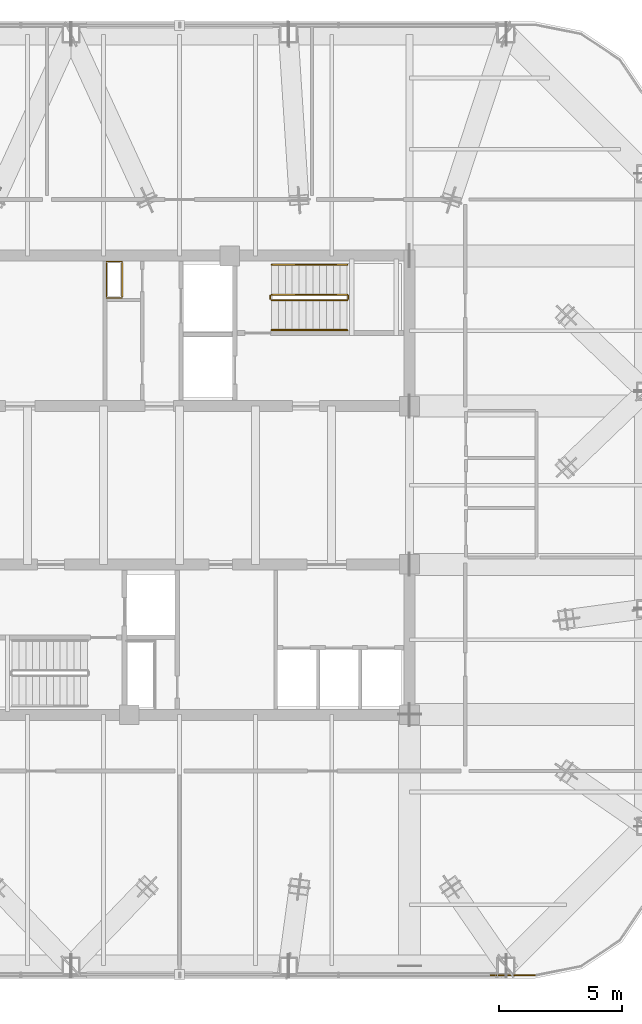
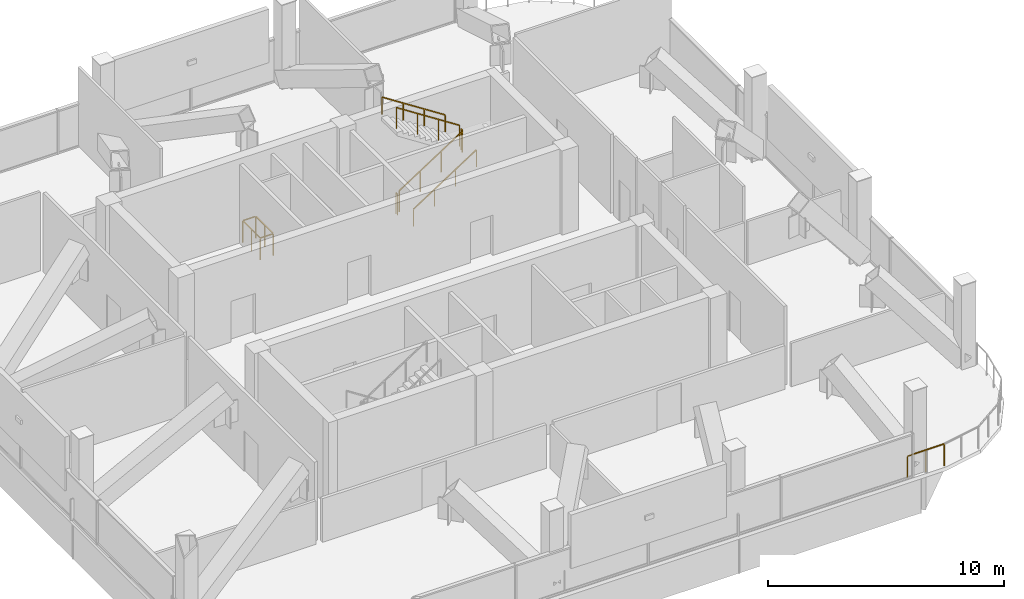
# One storey, part 18 of 19: 8 railings.
"""IFC4 building model written with IfcOpenShell, lengths in metres."""

from ifc_helpers import new_model, si_unit, direction, frame, origin, origin_2d, place, context, subcontext, project, spatial, rectangle, extrude, material, type_object, element, save


model = new_model("IFC4")

# Units and contexts
model_context = context("Model", 3, precision=1e-05, world=origin(), true_north=direction((0.0, 1.0)))
body_context = subcontext(model_context, "Body", "Model", "MODEL_VIEW")
ifc_project = project(units=[si_unit("LENGTHUNIT", "METRE"), si_unit("AREAUNIT", "SQUARE_METRE"), si_unit("VOLUMEUNIT", "CUBIC_METRE"), si_unit("PLANEANGLEUNIT", "RADIAN"), si_unit("MASSUNIT", "GRAM", prefix="KILO")], contexts=[model_context])

# Site, building, storey
site_placement = place(None, origin())
site = spatial("IfcSite", under=ifc_project, at=site_placement, CompositionType="ELEMENT")
building_placement = place(site_placement, origin())
building = spatial("IfcBuilding", under=site, at=building_placement, Name="Qhalaya Broadcast Tower", CompositionType="ELEMENT")
storey_placement = place(building_placement, frame((0.0, 0.0, 226.949951171875)))
storey = spatial("IfcBuildingStorey", under=building, at=storey_placement, Name="L67", CompositionType="ELEMENT", Elevation=226.949951171875)

# Railings
ifc_material = material(Name="Powder-Coated Galvanised Steel", Category="steel")
railing_type_1 = type_object("IfcRailingType", Name="Stair Wall Handrail 900", PredefinedType="HANDRAIL", material=ifc_material)
railing_1_placement = place(storey_placement, frame((3.75, 6.929931640625, 0.181396484375)))
element("IfcRailing", 1, at=railing_1_placement, inside=storey, type_object=railing_type_1, Name="L67 ST-1 Stair Handrail 1", PredefinedType="HANDRAIL", context=body_context, shape_type="SweptSolid", body=[
    extrude(rectangle(XDim=0.048095703125, YDim=0.048095703125, at=origin_2d()), frame((0.0, 0.0, 0.8759765625), z_axis=(0.839488025565, 0.0, 0.543378187759), x_axis=(0.0, 1.0, 0.0)), (0.0, 0.0, 1.0), 3.6689453125),
    extrude(rectangle(XDim=0.0419921875, YDim=0.0419921875, at=origin_2d()), origin(), (0.0, 0.0, 1.0), 0.849853515625),
    extrude(rectangle(XDim=0.0419921875, YDim=0.0419921875, at=origin_2d()), frame((1.026611328125, 0.0, 0.66455078125)), (0.0, 0.0, 1.0), 0.849853515625),
    extrude(rectangle(XDim=0.0419921875, YDim=0.0419921875, at=origin_2d()), frame((2.053466796875, 0.0, 1.3291015625)), (0.0, 0.0, 1.0), 0.849853515625),
    extrude(rectangle(XDim=0.0419921875, YDim=0.0419921875, at=origin_2d()), frame((3.080078125, 0.0, 1.99365234375)), (0.0, 0.0, 1.0), 0.849853515625),
])
railing_2_placement = place(storey_placement, frame((6.830078125, 9.590087890625, 2.356201171875)))
element("IfcRailing", 2, at=railing_2_placement, inside=storey, type_object=railing_type_1, Name="L67 ST-1 Stair Handrail 2", PredefinedType="HANDRAIL", context=body_context, shape_type="SweptSolid", body=[
    extrude(rectangle(XDim=0.048095703125, YDim=0.048095703125, at=origin_2d()), frame((0.0, 0.0, 0.8759765625), z_axis=(-0.8394576718, 0.0, 0.543425079708), x_axis=(0.0, -1.0, 0.0)), (0.0, 0.0, 1.0), 3.669189453125),
    extrude(rectangle(XDim=0.0419921875, YDim=0.0419921875, at=origin_2d()), origin(), (0.0, 0.0, 1.0), 0.849853515625),
    extrude(rectangle(XDim=0.0419921875, YDim=0.0419921875, at=origin_2d()), frame((-1.026611328125, 0.0, 0.66455078125)), (0.0, 0.0, 1.0), 0.849853515625),
    extrude(rectangle(XDim=0.0419921875, YDim=0.0419921875, at=origin_2d()), frame((-2.053466796875, 0.0, 1.329345703125)), (0.0, 0.0, 1.0), 0.849853515625),
    extrude(rectangle(XDim=0.0419921875, YDim=0.0419921875, at=origin_2d()), frame((-3.080078125, 0.0, 1.993896484375)), (0.0, 0.0, 1.0), 0.849853515625),
])
railing_type_2 = type_object("IfcRailingType", Name="Stair Well & Landing Guardrail 1100", PredefinedType="GUARDRAIL", material=ifc_material)
railing_3_placement = place(storey_placement, frame((-2.340087890625, 8.239990234375, 0.0)))
element("IfcRailing", 3, at=railing_3_placement, inside=storey, type_object=railing_type_2, Name="L67 Service Riser Opening Safety Guard NRSR", PredefinedType="GUARDRAIL", context=body_context, shape_type="SweptSolid", body=[
    extrude(rectangle(XDim=0.048095703125, YDim=0.048095703125, at=origin_2d()), frame((0.0, 0.02880859375, 1.1259765625), z_axis=(0.0, 1.0, 0.0), x_axis=(-1.0, 0.0, 0.0)), (0.0, 0.0, 1.0), 1.42236328125),
    extrude(rectangle(XDim=0.048095703125, YDim=0.048095703125, at=origin_2d()), frame((-0.02880859375, 1.47998046875, 1.1259765625), z_axis=(-1.0, 0.0, 0.0), x_axis=(0.0, -1.0, 0.0)), (0.0, 0.0, 1.0), 0.582275390625),
    extrude(rectangle(XDim=0.048095703125, YDim=0.048095703125, at=origin_2d()), frame((-0.639892578125, 1.451171875, 1.1259765625), z_axis=(0.0, -1.0, 0.0), x_axis=(1.0, 0.0, 0.0)), (0.0, 0.0, 1.0), 1.42236328125),
    extrude(rectangle(XDim=0.048095703125, YDim=0.048095703125, at=origin_2d()), frame((-0.611083984375, 0.0, 1.1259765625), z_axis=(1.0, 0.0, 0.0), x_axis=(0.0, 1.0, 0.0)), (0.0, 0.0, 1.0), 0.582275390625),
    extrude(rectangle(XDim=0.0419921875, YDim=0.0419921875, at=origin_2d()), origin(), (0.0, 0.0, 1.0), 1.099853515625),
    extrude(rectangle(XDim=0.0419921875, YDim=0.0419921875, at=origin_2d()), frame((0.0, 0.739990234375, 0.0)), (0.0, 0.0, 1.0), 1.099853515625),
    extrude(rectangle(XDim=0.0419921875, YDim=0.0419921875, at=origin_2d()), frame((0.0, 1.47998046875, 0.0)), (0.0, 0.0, 1.0), 1.099853515625),
    extrude(rectangle(XDim=0.0419921875, YDim=0.0419921875, at=origin_2d()), frame((-0.639892578125, 1.47998046875, 0.0)), (0.0, 0.0, 1.0), 1.099853515625),
    extrude(rectangle(XDim=0.0419921875, YDim=0.0419921875, at=origin_2d()), frame((-0.639892578125, 0.739990234375, 0.0)), (0.0, 0.0, 1.0), 1.099853515625),
    extrude(rectangle(XDim=0.0419921875, YDim=0.0419921875, at=origin_2d()), frame((-0.639892578125, 0.0, 0.0)), (0.0, 0.0, 1.0), 1.099853515625),
])
railing_4_placement = place(storey_placement, frame((3.75, 8.14990234375, 0.181396484375)))
element("IfcRailing", 4, at=railing_4_placement, inside=storey, type_object=railing_type_2, Name="L67 ST-1 Stair Guard 1", PredefinedType="GUARDRAIL", context=body_context, shape_type="SweptSolid", body=[
    extrude(rectangle(XDim=0.048095703125, YDim=0.048095703125, at=origin_2d()), frame((0.0, 0.0, 1.076171875), z_axis=(0.839488025565, 0.0, 0.543378187759), x_axis=(0.0, 1.0, 0.0)), (0.0, 0.0, 1.0), 3.6689453125),
    extrude(rectangle(XDim=0.0419921875, YDim=0.0419921875, at=origin_2d()), origin(), (0.0, 0.0, 1.0), 1.050048828125),
    extrude(rectangle(XDim=0.0419921875, YDim=0.0419921875, at=origin_2d()), frame((1.026611328125, 0.0, 0.66455078125)), (0.0, 0.0, 1.0), 1.050048828125),
    extrude(rectangle(XDim=0.0419921875, YDim=0.0419921875, at=origin_2d()), frame((2.053466796875, 0.0, 1.3291015625)), (0.0, 0.0, 1.0), 1.050048828125),
    extrude(rectangle(XDim=0.0419921875, YDim=0.0419921875, at=origin_2d()), frame((3.080078125, 0.0, 1.99365234375)), (0.0, 0.0, 1.0), 1.050048828125),
])
railing_5_placement = place(storey_placement, frame((6.8798828125, 8.199951171875, 2.175048828125)))
element("IfcRailing", 5, at=railing_5_placement, inside=storey, type_object=railing_type_2, Name="L67 ST-1 Stair Guard 2", PredefinedType="GUARDRAIL", context=body_context, shape_type="SweptSolid", body=[
    extrude(rectangle(XDim=0.048095703125, YDim=0.048095703125, at=origin_2d()), frame((0.0, 0.0, 1.076171875), z_axis=(0.0, 1.0, 0.0), x_axis=(-1.0, 0.0, 0.0)), (0.0, 0.0, 1.0), 0.1201171875),
    extrude(rectangle(XDim=0.0419921875, YDim=0.0419921875, at=origin_2d()), origin(), (0.0, 0.0, 1.0), 1.050048828125),
    extrude(rectangle(XDim=0.0419921875, YDim=0.0419921875, at=origin_2d()), frame((0.0, 0.1201171875, 0.0)), (0.0, 0.0, 1.0), 1.050048828125),
])
railing_6_placement = place(storey_placement, frame((6.830078125, 8.3701171875, 2.356201171875)))
element("IfcRailing", 6, at=railing_6_placement, inside=storey, type_object=railing_type_2, Name="L67 ST-1 Stair Guard 3", PredefinedType="GUARDRAIL", context=body_context, shape_type="SweptSolid", body=[
    extrude(rectangle(XDim=0.048095703125, YDim=0.048095703125, at=origin_2d()), frame((0.0, 0.0, 1.076171875), z_axis=(-0.8394576718, 0.0, 0.543425079708), x_axis=(0.0, -1.0, 0.0)), (0.0, 0.0, 1.0), 3.669189453125),
    extrude(rectangle(XDim=0.0419921875, YDim=0.0419921875, at=origin_2d()), origin(), (0.0, 0.0, 1.0), 1.050048828125),
    extrude(rectangle(XDim=0.0419921875, YDim=0.0419921875, at=origin_2d()), frame((-1.026611328125, 0.0, 0.66455078125)), (0.0, 0.0, 1.0), 1.050048828125),
    extrude(rectangle(XDim=0.0419921875, YDim=0.0419921875, at=origin_2d()), frame((-2.053466796875, 0.0, 1.329345703125)), (0.0, 0.0, 1.0), 1.050048828125),
    extrude(rectangle(XDim=0.0419921875, YDim=0.0419921875, at=origin_2d()), frame((-3.080078125, 0.0, 1.993896484375)), (0.0, 0.0, 1.0), 1.050048828125),
])
railing_7_placement = place(storey_placement, frame((3.699951171875, 8.199951171875, 0.0)))
element("IfcRailing", 7, at=railing_7_placement, inside=storey, type_object=railing_type_2, Name="L67 ST-1 Stair Guard 4", PredefinedType="GUARDRAIL", context=body_context, shape_type="SweptSolid", body=[
    extrude(rectangle(XDim=0.048095703125, YDim=0.048095703125, at=origin_2d()), frame((0.0, 0.0, 1.076171875), z_axis=(0.0, 1.0, 0.0), x_axis=(-1.0, 0.0, 0.0)), (0.0, 0.0, 1.0), 0.1201171875),
    extrude(rectangle(XDim=0.0419921875, YDim=0.0419921875, at=origin_2d()), origin(), (0.0, 0.0, 1.0), 1.050048828125),
    extrude(rectangle(XDim=0.0419921875, YDim=0.0419921875, at=origin_2d()), frame((0.0, 0.1201171875, 0.0)), (0.0, 0.0, 1.0), 1.050048828125),
])
railing_type_3 = type_object("IfcRailingType", Name="Terrace, Sky-Pool & Lookout Glass Balustrade 1150", PredefinedType="BALUSTRADE", material=ifc_material)
railing_8_placement = place(storey_placement, frame((14.48828125, -19.3798828125, 0.0)))
element("IfcRailing", 8, at=railing_8_placement, inside=storey, type_object=railing_type_3, Name="L67 Rounded Corner Perimeter Guard 01", PredefinedType="BALUSTRADE", context=body_context, shape_type="SweptSolid", body=[
    extrude(rectangle(XDim=0.048095703125, YDim=0.048095703125, at=origin_2d()), frame((0.0, 0.0, 1.1259765625), z_axis=(-1.0, 0.0, 0.0), x_axis=(0.0, -1.0, 0.0)), (0.0, 0.0, 1.0), 1.806396484375),
    extrude(rectangle(XDim=0.0419921875, YDim=0.0419921875, at=origin_2d()), origin(), (0.0, 0.0, 1.0), 1.099853515625),
    extrude(rectangle(XDim=0.0419921875, YDim=0.0419921875, at=origin_2d()), frame((-0.9033203125, 0.0, 0.0)), (0.0, 0.0, 1.0), 1.099853515625),
    extrude(rectangle(XDim=0.0419921875, YDim=0.0419921875, at=origin_2d()), frame((-1.806396484375, 0.0, 0.0)), (0.0, 0.0, 1.0), 1.099853515625),
])

save(model, "model.ifc")
